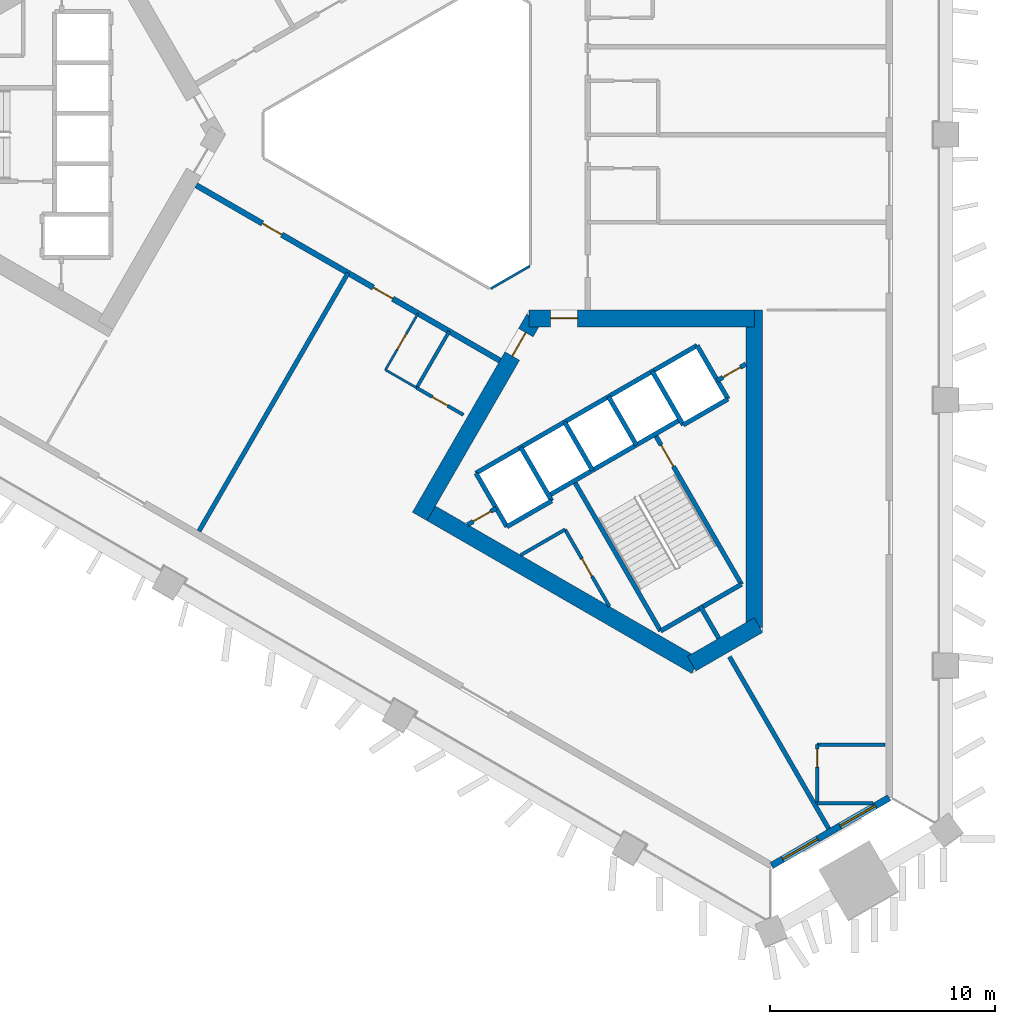
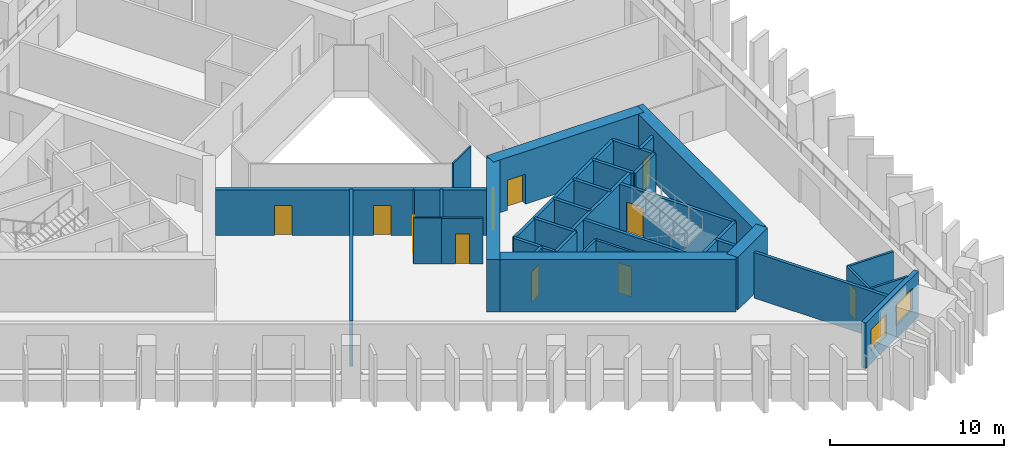
# One storey, part 3 of 11: 35 walls, 11 doors, 2 windows, 13 openings.
"""IFC4 building model written with IfcOpenShell, lengths in metres."""

from ifc_helpers import new_model, si_unit, direction, frame, frame_2d, origin, place, context, subcontext, project, spatial, rectangle, extrude, material, layer, layer_set, type_object, element, fill, save


model = new_model("IFC4")

# Units and contexts
model_context = context("Model", 3, precision=1e-05, world=origin(), true_north=direction((0.0, 1.0)))
body_context = subcontext(model_context, "Body", "Model", "MODEL_VIEW")
ifc_project = project(units=[si_unit("LENGTHUNIT", "METRE"), si_unit("AREAUNIT", "SQUARE_METRE"), si_unit("VOLUMEUNIT", "CUBIC_METRE"), si_unit("PLANEANGLEUNIT", "RADIAN"), si_unit("MASSUNIT", "GRAM", prefix="KILO")], contexts=[model_context])

# Site, building, storey
site_placement = place(None, origin())
site = spatial("IfcSite", under=ifc_project, at=site_placement, CompositionType="ELEMENT")
building_placement = place(site_placement, origin())
building = spatial("IfcBuilding", under=site, at=building_placement, Name="Jabali Bay Hotel Tower and Convention Centre", CompositionType="ELEMENT")
storey_placement = place(building_placement, frame((0.0, 0.0, 79.5)))
storey = spatial("IfcBuildingStorey", under=building, at=storey_placement, Name="L18", CompositionType="ELEMENT", Elevation=79.5)

# Walls
ifc_material_1 = material(Name="Fire-resistant glazing", Category="glass")
ifc_layer_1 = layer(ifc_material_1, 0.10009765625)
ifc_layer_set_1 = layer_set([ifc_layer_1], Name="Fire-resistant glazing")
wall_type_1 = type_object("IfcWallType", Name="Atrium glazed screen 100", PredefinedType="PARTITIONING", material=ifc_layer_set_1)
wall_1_placement = place(storey_placement, frame((77.7978515625, 73.15380859375, 0.0), z_axis=(0.0, 0.0, 1.0), x_axis=(0.866041268327, 0.499972520799, 0.0)))
element("IfcWall", 1, at=wall_1_placement, inside=storey, type_object=wall_type_1, Name="Atrium screen 6 L18", PredefinedType="PARTITIONING", context=body_context, shape_type="SweptSolid", body=[
    extrude(rectangle(XDim=2.0, YDim=0.10009765625, at=frame_2d((1.0, 0.0))), origin(), (0.0, 0.0, 1.0), 3.199951171875),
])
ifc_material_2 = material(Name="Concrete C40", Category="concrete")
ifc_layer_2 = layer(ifc_material_2, 0.199951171875)
ifc_layer_set_2 = layer_set([ifc_layer_2], Name="Concrete C40")
wall_type_2 = type_object("IfcWallType", Name="Core partition wall 200", PredefinedType="PARTITIONING", material=ifc_layer_set_2)
wall_2_placement = place(storey_placement, frame((87.090087890625, 59.0595703125, 0.0), z_axis=(0.0, 0.0, 1.0), x_axis=(0.499937194881, -0.866061661301, 0.0)))
element("IfcWall", 2, at=wall_2_placement, inside=storey, type_object=wall_type_2, Name="Core wall 2.5 L18", PredefinedType="PARTITIONING", context=body_context, shape_type="SweptSolid", body=[
    extrude(rectangle(XDim=1.673095703125, YDim=0.199951171875, at=frame_2d((0.83642578125, 0.0))), origin(), (0.0, 0.0, 1.0), 3.199951171875),
])

# Wall, opening, door
wall_3_placement = place(storey_placement, frame((76.77001953125, 62.662109375, 0.0), z_axis=(0.0, 0.0, 1.0), x_axis=(0.866054810376, 0.49994906283, 0.0)))
wall_3 = element("IfcWall", 3, at=wall_3_placement, inside=storey, type_object=wall_type_2, Name="Core wall 2.11 L18", PredefinedType="PARTITIONING", context=body_context, shape_type="SweptSolid", body=[
    extrude(rectangle(XDim=1.461181640625, YDim=0.199951171875, at=frame_2d((0.73046875, 0.0))), origin(), (0.0, 0.0, 1.0), 3.199951171875),
])
opening_1_placement = place(wall_3_placement, frame((0.280517578125, 0.0, 0.0)))
opening_1 = element("IfcOpeningElement", 4, at=opening_1_placement, cuts=wall_3, Name="Opening D453", PredefinedType="OPENING", context=body_context, shape_type="SweptSolid", body=[
    extrude(rectangle(XDim=0.89990234375, YDim=2.10009765625, at=frame_2d((0.449951171875, 1.050048828125))), frame((0.0, 0.1103515625, 0.0), z_axis=(0.0, -1.0, 0.0), x_axis=(1.0, 0.0, 0.0)), (0.0, 0.0, 1.0), 0.220947265625),
])
ifc_material_3 = material(Name="Fire-rated steel door", Category="steel")
door_type_1 = type_object("IfcDoorType", Name="Vestibule fire door 900 x 2100", OperationType="NOTDEFINED", PredefinedType="NOTDEFINED", material=ifc_material_3)
door_1_placement = place(opening_1_placement, origin())
door_1 = element("IfcDoor", 5, at=door_1_placement, inside=storey, type_object=door_type_1, Name="Vestibule fire door D453", OperationType="SINGLE_SWING_LEFT", OverallHeight=2.10009765625, OverallWidth=0.89990234375, PredefinedType="NOTDEFINED", context=body_context, shape_type="SweptSolid", body=[
    extrude(rectangle(XDim=0.89990234375, YDim=2.10009765625, at=frame_2d((0.449951171875, 1.050048828125))), frame((0.0, 0.02490234375, 0.0), z_axis=(0.0, -1.0, 0.0), x_axis=(1.0, 0.0, 0.0)), (0.0, 0.0, 1.0), 0.050048828125),
])
fill(opening_1, door_1)

wall_4_placement = place(storey_placement, frame((87.86474609375, 69.067626953125, 0.0), z_axis=(0.0, 0.0, 1.0), x_axis=(0.865982457891, 0.500074377092, 0.0)))
wall_4 = element("IfcWall", 6, at=wall_4_placement, inside=storey, type_object=wall_type_2, Name="Core wall 2.12 L18", PredefinedType="PARTITIONING", context=body_context, shape_type="SweptSolid", body=[
    extrude(rectangle(XDim=1.461181640625, YDim=0.199951171875, at=frame_2d((0.73046875, 0.0))), origin(), (0.0, 0.0, 1.0), 3.199951171875),
])
opening_2_placement = place(wall_4_placement, frame((0.280517578125, 0.0, 0.0)))
opening_2 = element("IfcOpeningElement", 7, at=opening_2_placement, cuts=wall_4, Name="Opening D452", PredefinedType="OPENING", context=body_context, shape_type="SweptSolid", body=[
    extrude(rectangle(XDim=0.89990234375, YDim=2.10009765625, at=frame_2d((0.449951171875, 1.050048828125))), frame((0.0, 0.1103515625, 0.0), z_axis=(0.0, -1.0, 0.0), x_axis=(1.0, 0.0, 0.0)), (0.0, 0.0, 1.0), 0.220947265625),
])
door_2_placement = place(opening_2_placement, origin())
door_2 = element("IfcDoor", 8, at=door_2_placement, inside=storey, type_object=door_type_1, Name="Vestibule fire door D452", OperationType="SINGLE_SWING_LEFT", OverallHeight=2.10009765625, OverallWidth=0.89990234375, PredefinedType="NOTDEFINED", context=body_context, shape_type="SweptSolid", body=[
    extrude(rectangle(XDim=0.89990234375, YDim=2.10009765625, at=frame_2d((0.449951171875, 1.050048828125))), frame((0.0, 0.02490234375, 0.0), z_axis=(0.0, -1.0, 0.0), x_axis=(1.0, 0.0, 0.0)), (0.0, 0.0, 1.0), 0.050048828125),
])
fill(opening_2, door_2)

ifc_material_4 = material(Name="Fire-rated board partition")
ifc_layer_3 = layer(ifc_material_4, 0.14990234375)
ifc_layer_set_3 = layer_set([ifc_layer_3], Name="Fire-rated board partition")
wall_type_3 = type_object("IfcWallType", Name="Core room partition 150", PredefinedType="PARTITIONING", material=ifc_layer_set_3)
wall_5_placement = place(storey_placement, frame((81.093994140625, 62.445068359375, 0.0), z_axis=(0.0, 0.0, 1.0), x_axis=(0.499990112884, -0.866031112038, 0.0)))
wall_5 = element("IfcWall", 9, at=wall_5_placement, inside=storey, type_object=wall_type_3, Name="Core wall 2.1 L18", PredefinedType="PARTITIONING", context=body_context, shape_type="SweptSolid", body=[
    extrude(rectangle(XDim=3.94775390625, YDim=0.14990234375, at=frame_2d((1.973876953125, 0.0))), origin(), (0.0, 0.0, 1.0), 3.199951171875),
])
opening_3_placement = place(wall_5_placement, frame((1.496337890625, 0.0, 0.0)))
opening_3 = element("IfcOpeningElement", 10, at=opening_3_placement, cuts=wall_5, Name="Opening D455", PredefinedType="OPENING", context=body_context, shape_type="SweptSolid", body=[
    extrude(rectangle(XDim=0.89990234375, YDim=2.10009765625, at=frame_2d((0.449951171875, 1.050048828125))), frame((0.0, 0.08544921875, 0.0), z_axis=(0.0, -1.0, 0.0), x_axis=(1.0, 0.0, 0.0)), (0.0, 0.0, 1.0), 0.1708984375),
])
door_type_2 = type_object("IfcDoorType", Name="Core room door 900 x 2100", OperationType="NOTDEFINED", PredefinedType="NOTDEFINED", material=ifc_material_3)
door_3_placement = place(opening_3_placement, origin())
door_3 = element("IfcDoor", 11, at=door_3_placement, inside=storey, type_object=door_type_2, Name="Core room door D455", OperationType="SINGLE_SWING_LEFT", OverallHeight=2.10009765625, OverallWidth=0.89990234375, PredefinedType="NOTDEFINED", context=body_context, shape_type="SweptSolid", body=[
    extrude(rectangle(XDim=0.89990234375, YDim=2.10009765625, at=frame_2d((0.449951171875, 1.050048828125))), frame((0.0, 0.02490234375, 0.0), z_axis=(0.0, -1.0, 0.0), x_axis=(1.0, 0.0, 0.0)), (0.0, 0.0, 1.0), 0.050048828125),
])
fill(opening_3, door_3)

# Walls
wall_6_placement = place(storey_placement, frame((79.119873046875, 61.305419921875, 0.0), z_axis=(0.0, 0.0, 1.0), x_axis=(0.866046471269, 0.499963508271, 0.0)))
element("IfcWall", 12, at=wall_6_placement, inside=storey, type_object=wall_type_3, Name="Core wall 2.16 L18", PredefinedType="PARTITIONING", context=body_context, shape_type="SweptSolid", body=[
    extrude(rectangle(XDim=2.279541015625, YDim=0.14990234375, at=frame_2d((1.1396484375, 0.0))), origin(), (0.0, 0.0, 1.0), 3.199951171875),
])
ifc_layer_4 = layer(ifc_material_2, 0.199951171875)
ifc_layer_set_4 = layer_set([ifc_layer_4], Name="Concrete C40")
wall_type_4 = type_object("IfcWallType", Name="Core stair wall 200", PredefinedType="SOLIDWALL", material=ifc_layer_set_4)
for number, where, z_axis, x_axis, name in (
    (13, (77.13525390625, 64.95166015625, 0.0), (0.0, 0.0, 1.0), (0.499996545922, -0.866027397988, 0.0), "Core wall 2.0 L18"),
    (14, (79.127197265625, 66.1015625, 0.0), (0.0, 0.0, 1.0), (0.499996545922, -0.866027397988, 0.0), "Core wall 2.2 L18"),
):
    element("IfcWall", number, at=place(storey_placement, frame(where, z_axis=z_axis, x_axis=x_axis)), inside=storey, type_object=wall_type_4, Name=name, PredefinedType="SOLIDWALL", context=body_context, shape_type="SweptSolid", body=[
        extrude(rectangle(XDim=2.75, YDim=0.199951171875, at=frame_2d((1.375, 0.0))), origin(), (0.0, 0.0, 1.0), 3.199951171875),
    ])
wall_7_placement = place(storey_placement, frame((81.492919921875, 64.603759765625, 0.0), z_axis=(0.0, 0.0, 1.0), x_axis=(0.500006057782, -0.866021906294, 0.0)))
element("IfcWall", 15, at=wall_7_placement, inside=storey, type_object=wall_type_4, Name="Core wall 2.3 L18", PredefinedType="SOLIDWALL", context=body_context, shape_type="SweptSolid", body=[
    extrude(rectangle(XDim=7.7001953125, YDim=0.199951171875, at=frame_2d((3.85009765625, 0.0))), origin(), (0.0, 0.0, 1.0), 3.199951171875),
])
for number, where, z_axis, x_axis, name in (
    (16, (81.07568359375, 67.2265625, 0.0), (0.0, 0.0, 1.0), (0.50000366821, -0.866023285932, 0.0), "Core wall 2.4 L18"),
    (17, (83.024169921875, 68.3515625, 0.0), (0.0, 0.0, 1.0), (0.50000366821, -0.866023285932, 0.0), "Core wall 2.6 L18"),
):
    element("IfcWall", number, at=place(storey_placement, frame(where, z_axis=z_axis, x_axis=x_axis)), inside=storey, type_object=wall_type_4, Name=name, PredefinedType="SOLIDWALL", context=body_context, shape_type="SweptSolid", body=[
        extrude(rectangle(XDim=2.47998046875, YDim=0.199951171875, at=frame_2d((1.239990234375, 0.0))), origin(), (0.0, 0.0, 1.0), 3.199951171875),
    ])

# Wall, opening, door
wall_8_placement = place(storey_placement, frame((85.0869140625, 66.6787109375, 0.0), z_axis=(0.0, 0.0, 1.0), x_axis=(0.500019787375, -0.866013979237, 0.0)))
wall_8 = element("IfcWall", 18, at=wall_8_placement, inside=storey, type_object=wall_type_4, Name="Core wall 2.7 L18", PredefinedType="SOLIDWALL", context=body_context, shape_type="SweptSolid", body=[
    extrude(rectangle(XDim=7.699951171875, YDim=0.199951171875, at=frame_2d((3.85009765625, 0.0))), origin(), (0.0, 0.0, 1.0), 3.199951171875),
])
opening_4_placement = place(wall_8_placement, frame((0.550048828125, 0.0, 0.0)))
opening_4 = element("IfcOpeningElement", 19, at=opening_4_placement, cuts=wall_8, Name="Opening D454", PredefinedType="OPENING", context=body_context, shape_type="SweptSolid", body=[
    extrude(rectangle(XDim=1.10009765625, YDim=2.10009765625, at=frame_2d((0.550048828125, 1.050048828125))), frame((0.0, 0.1103515625, 0.0), z_axis=(0.0, -1.0, 0.0), x_axis=(1.0, 0.0, 0.0)), (0.0, 0.0, 1.0), 0.220947265625),
])
door_type_3 = type_object("IfcDoorType", Name="Stair fire door 1100 x 2100", OperationType="NOTDEFINED", PredefinedType="NOTDEFINED", material=ifc_material_3)
door_4_placement = place(opening_4_placement, origin())
door_4 = element("IfcDoor", 20, at=door_4_placement, inside=storey, type_object=door_type_3, Name="Stair fire door D454", OperationType="SINGLE_SWING_RIGHT", OverallHeight=2.10009765625, OverallWidth=1.10009765625, PredefinedType="NOTDEFINED", context=body_context, shape_type="SweptSolid", body=[
    extrude(rectangle(XDim=1.10009765625, YDim=2.10009765625, at=frame_2d((0.550048828125, 1.050048828125))), frame((0.0, 0.02490234375, 0.0), z_axis=(0.0, -1.0, 0.0), x_axis=(1.0, 0.0, 0.0)), (0.0, 0.0, 1.0), 0.050048828125),
])
fill(opening_4, door_4)

# Walls
for number, where, z_axis, x_axis, name in (
    (21, (84.972900390625, 69.4765625, 0.0), (0.0, 0.0, 1.0), (0.499996545922, -0.866027397988, 0.0), "Core wall 2.8 L18"),
    (22, (86.964599609375, 70.62646484375, 0.0), (0.0, 0.0, 1.0), (0.499996545922, -0.866027397988, 0.0), "Core wall 2.9 L18"),
):
    element("IfcWall", number, at=place(storey_placement, frame(where, z_axis=z_axis, x_axis=x_axis)), inside=storey, type_object=wall_type_4, Name=name, PredefinedType="SOLIDWALL", context=body_context, shape_type="SweptSolid", body=[
        extrude(rectangle(XDim=2.75, YDim=0.199951171875, at=frame_2d((1.375, 0.0))), origin(), (0.0, 0.0, 1.0), 3.199951171875),
    ])
wall_9_placement = place(storey_placement, frame((77.13525390625, 64.95166015625, 0.0), z_axis=(0.0, 0.0, 1.0), x_axis=(0.866031916153, 0.499988720078, 0.0)))
element("IfcWall", 23, at=wall_9_placement, inside=storey, type_object=wall_type_4, Name="Core wall 2.10 L18", PredefinedType="SOLIDWALL", context=body_context, shape_type="SweptSolid", body=[
    extrude(rectangle(XDim=11.349853515625, YDim=0.199951171875, at=frame_2d((5.6748046875, 0.0))), origin(), (0.0, 0.0, 1.0), 3.199951171875),
])
wall_10_placement = place(storey_placement, frame((80.3671875, 63.953857421875, 0.0), z_axis=(0.0, 0.0, 1.0), x_axis=(0.866026575979, 0.499997969693, 0.0)))
element("IfcWall", 24, at=wall_10_placement, inside=storey, type_object=wall_type_4, Name="Core wall 2.13 L18", PredefinedType="SOLIDWALL", context=body_context, shape_type="SweptSolid", body=[
    extrude(rectangle(XDim=6.75, YDim=0.199951171875, at=frame_2d((3.375, 0.0))), origin(), (0.0, 0.0, 1.0), 3.199951171875),
])
wall_11_placement = place(storey_placement, frame((78.51025390625, 62.570068359375, 0.0), z_axis=(0.0, 0.0, 1.0), x_axis=(0.866053019151, 0.499952165731, 0.0)))
element("IfcWall", 25, at=wall_11_placement, inside=storey, type_object=wall_type_4, Name="Core wall 2.14 L18", PredefinedType="SOLIDWALL", context=body_context, shape_type="SweptSolid", body=[
    extrude(rectangle(XDim=2.300048828125, YDim=0.199951171875, at=frame_2d((1.14990234375, 0.0))), origin(), (0.0, 0.0, 1.0), 3.199951171875),
])
wall_12_placement = place(storey_placement, frame((86.347900390625, 67.094970703125, 0.0), z_axis=(0.0, 0.0, 1.0), x_axis=(0.86602648383, 0.499998129301, 0.0)))
element("IfcWall", 26, at=wall_12_placement, inside=storey, type_object=wall_type_4, Name="Core wall 2.15 L18", PredefinedType="SOLIDWALL", context=body_context, shape_type="SweptSolid", body=[
    extrude(rectangle(XDim=2.2998046875, YDim=0.199951171875, at=frame_2d((1.14990234375, 0.0))), origin(), (0.0, 0.0, 1.0), 3.199951171875),
])
wall_13_placement = place(storey_placement, frame((85.343017578125, 57.935302734375, 0.0), z_axis=(0.0, 0.0, 1.0), x_axis=(0.866004344652, 0.500036473714, 0.0)))
element("IfcWall", 27, at=wall_13_placement, inside=storey, type_object=wall_type_4, Name="Core wall 2.17 L18", PredefinedType="SOLIDWALL", context=body_context, shape_type="SweptSolid", body=[
    extrude(rectangle(XDim=4.150146484375, YDim=0.199951171875, at=frame_2d((2.0751953125, 0.0))), origin(), (0.0, 0.0, 1.0), 3.199951171875),
])

# Wall, opening, door
ifc_material_5 = material(Name="Concrete C60", Category="concrete")
ifc_layer_5 = layer(ifc_material_5, 0.75)
ifc_layer_set_5 = layer_set([ifc_layer_5], Name="Concrete C60")
wall_type_5 = type_object("IfcWallType", Name="Core wall 750", PredefinedType="SHEAR", material=ifc_layer_set_5)
wall_14_placement = place(storey_placement, frame((79.716552734375, 71.830810546875, 0.0), z_axis=(0.0, 0.0, 1.0), x_axis=(-0.499996230114, -0.866027580318, 0.0)))
wall_14 = element("IfcWall", 28, at=wall_14_placement, inside=storey, type_object=wall_type_5, Name="Core wall 3.1 L18", PredefinedType="SHEAR", context=body_context, shape_type="SweptSolid", body=[
    extrude(rectangle(XDim=10.16357421875, YDim=0.75, at=frame_2d((5.081787109375, 0.0))), origin(), (0.0, 0.0, 1.0), 3.699951171875),
])
opening_5_placement = place(wall_14_placement, frame((0.7333984375, 0.0, 0.0)))
opening_5 = element("IfcOpeningElement", 29, at=opening_5_placement, cuts=wall_14, Name="Opening D450", PredefinedType="OPENING", context=body_context, shape_type="SweptSolid", body=[
    extrude(rectangle(XDim=1.199951171875, YDim=2.10009765625, at=frame_2d((0.60009765625, 1.050048828125))), frame((0.0, 0.385498046875, 0.0), z_axis=(0.0, -1.0, 0.0), x_axis=(1.0, 0.0, 0.0)), (0.0, 0.0, 1.0), 0.77099609375),
])
door_type_4 = type_object("IfcDoorType", Name="Corridor end fire door 1200 x 2100", OperationType="NOTDEFINED", PredefinedType="NOTDEFINED", material=ifc_material_3)
door_5_placement = place(opening_5_placement, origin())
door_5 = element("IfcDoor", 30, at=door_5_placement, inside=storey, type_object=door_type_4, Name="Corridor end fire door D450", OperationType="SINGLE_SWING_RIGHT", OverallHeight=2.10009765625, OverallWidth=1.199951171875, PredefinedType="NOTDEFINED", context=body_context, shape_type="SweptSolid", body=[
    extrude(rectangle(XDim=1.199951171875, YDim=2.10009765625, at=frame_2d((0.60009765625, 1.050048828125))), frame((0.0, 0.02490234375, 0.0), z_axis=(0.0, -1.0, 0.0), x_axis=(1.0, 0.0, 0.0)), (0.0, 0.0, 1.0), 0.050048828125),
])
fill(opening_5, door_5)

# Walls
wall_15_placement = place(storey_placement, frame((74.822265625, 63.353759765625, 0.0), z_axis=(0.0, 0.0, 1.0), x_axis=(0.8660248072, -0.500001033313, 0.0)))
element("IfcWall", 31, at=wall_15_placement, inside=storey, type_object=wall_type_5, Name="Core wall 3.2 L18", PredefinedType="SHEAR", context=body_context, shape_type="SweptSolid", body=[
    extrude(rectangle(XDim=13.95849609375, YDim=0.75, at=frame_2d((6.979248046875, 0.0))), origin(), (0.0, 0.0, 1.0), 3.699951171875),
])
wall_16_placement = place(storey_placement, frame((86.72314453125, 56.482666015625, 0.0), z_axis=(0.0, 0.0, 1.0), x_axis=(0.866017201164, 0.500014207086, 0.0)))
element("IfcWall", 32, at=wall_16_placement, inside=storey, type_object=wall_type_5, Name="Core wall 3.3 L18", PredefinedType="SHEAR", context=body_context, shape_type="SweptSolid", body=[
    extrude(rectangle(XDim=3.4287109375, YDim=0.75, at=frame_2d((1.71435546875, 0.0))), origin(), (0.0, 0.0, 1.0), 3.699951171875),
])
wall_17_placement = place(storey_placement, frame((89.5048828125, 58.0888671875, 0.0), z_axis=(0.0, 0.0, 1.0), x_axis=(0.0, 1.0, 0.0)))
element("IfcWall", 33, at=wall_17_placement, inside=storey, type_object=wall_type_5, Name="Core wall 3.4 L18", PredefinedType="SHEAR", context=body_context, shape_type="SweptSolid", body=[
    extrude(rectangle(XDim=14.116943359375, YDim=0.75, at=frame_2d((7.05859375, 0.0))), origin(), (0.0, 0.0, 1.0), 3.699951171875),
])

# Wall, opening, door
wall_18_placement = place(storey_placement, frame((89.5048828125, 71.830810546875, 0.0), z_axis=(0.0, 0.0, 1.0), x_axis=(-1.0, 0.0, 0.0)))
wall_18 = element("IfcWall", 34, at=wall_18_placement, inside=storey, type_object=wall_type_5, Name="Core wall 3.5 L18", PredefinedType="SHEAR", context=body_context, shape_type="SweptSolid", body=[
    extrude(rectangle(XDim=10.0048828125, YDim=0.75, at=frame_2d((5.00244140625, 0.0))), origin(), (0.0, 0.0, 1.0), 3.699951171875),
])
opening_6_placement = place(wall_18_placement, frame((7.85498046875, 0.0, 0.0)))
opening_6 = element("IfcOpeningElement", 35, at=opening_6_placement, cuts=wall_18, Name="Opening D451", PredefinedType="OPENING", context=body_context, shape_type="SweptSolid", body=[
    extrude(rectangle(XDim=1.199951171875, YDim=2.10009765625, at=frame_2d((0.60009765625, 1.050048828125))), frame((0.0, 0.385498046875, 0.0), z_axis=(0.0, -1.0, 0.0), x_axis=(1.0, 0.0, 0.0)), (0.0, 0.0, 1.0), 0.77099609375),
])
door_6_placement = place(opening_6_placement, origin())
door_6 = element("IfcDoor", 36, at=door_6_placement, inside=storey, type_object=door_type_4, Name="Corridor end fire door D451", OperationType="SINGLE_SWING_LEFT", OverallHeight=2.10009765625, OverallWidth=1.199951171875, PredefinedType="NOTDEFINED", context=body_context, shape_type="SweptSolid", body=[
    extrude(rectangle(XDim=1.199951171875, YDim=2.10009765625, at=frame_2d((0.60009765625, 1.050048828125))), frame((0.0, 0.02490234375, 0.0), z_axis=(0.0, -1.0, 0.0), x_axis=(1.0, 0.0, 0.0)), (0.0, 0.0, 1.0), 0.050048828125),
])
fill(opening_6, door_6)

# Wall, openings, doors
ifc_layer_6 = layer(ifc_material_5, 0.25)
ifc_layer_set_6 = layer_set([ifc_layer_6], Name="Concrete C60")
wall_type_6 = type_object("IfcWallType", Name="Corridor wall 250", PredefinedType="SHEAR", material=ifc_layer_set_6)
wall_19_placement = place(storey_placement, frame((64.699951171875, 77.748291015625, 0.0), z_axis=(0.0, 0.0, 1.0), x_axis=(0.866026492143, -0.499998114903, 0.0)))
wall_19 = element("IfcWall", 37, at=wall_19_placement, inside=storey, type_object=wall_type_6, Name="Corridor wall 3 L18", PredefinedType="SHEAR", context=body_context, shape_type="SweptSolid", body=[
    extrude(rectangle(XDim=15.58837890625, YDim=0.25, at=frame_2d((7.794189453125, 0.0))), origin(), (0.0, 0.0, 1.0), 3.199951171875),
])
opening_7_placement = place(wall_19_placement, frame((3.397216796875, 0.0, 0.0)))
opening_7 = element("IfcOpeningElement", 38, at=opening_7_placement, cuts=wall_19, Name="Opening 1818", PredefinedType="OPENING", context=body_context, shape_type="SweptSolid", body=[
    extrude(rectangle(XDim=1.0, YDim=2.10009765625, at=frame_2d((0.5, 1.050048828125))), frame((0.0, 0.135498046875, 0.0), z_axis=(0.0, -1.0, 0.0), x_axis=(1.0, 0.0, 0.0)), (0.0, 0.0, 1.0), 0.27099609375),
])
opening_8_placement = place(wall_19_placement, frame((9.09130859375, 0.0, 0.0)))
opening_8 = element("IfcOpeningElement", 39, at=opening_8_placement, cuts=wall_19, Name="Opening 1823", PredefinedType="OPENING", context=body_context, shape_type="SweptSolid", body=[
    extrude(rectangle(XDim=1.0, YDim=2.10009765625, at=frame_2d((0.5, 1.050048828125))), frame((0.0, 0.135498046875, 0.0), z_axis=(0.0, -1.0, 0.0), x_axis=(1.0, 0.0, 0.0)), (0.0, 0.0, 1.0), 0.27099609375),
])
ifc_material_6 = material(Name="Timber", Category="wood")
door_type_5 = type_object("IfcDoorType", Name="Guest room door 1000 x 2100", OperationType="NOTDEFINED", PredefinedType="NOTDEFINED", material=ifc_material_6)
door_7_placement = place(opening_7_placement, origin())
door_7 = element("IfcDoor", 40, at=door_7_placement, inside=storey, type_object=door_type_5, Name="Door 1818", OperationType="SINGLE_SWING_LEFT", OverallHeight=2.10009765625, OverallWidth=1.0, PredefinedType="NOTDEFINED", context=body_context, shape_type="SweptSolid", body=[
    extrude(rectangle(XDim=1.0, YDim=2.10009765625, at=frame_2d((0.5, 1.050048828125))), frame((0.0, 0.02490234375, 0.0), z_axis=(0.0, -1.0, 0.0), x_axis=(1.0, 0.0, 0.0)), (0.0, 0.0, 1.0), 0.050048828125),
])
fill(opening_7, door_7)
door_8_placement = place(opening_8_placement, origin())
door_8 = element("IfcDoor", 41, at=door_8_placement, inside=storey, type_object=door_type_5, Name="Door 1823", OperationType="SINGLE_SWING_RIGHT", OverallHeight=2.10009765625, OverallWidth=1.0, PredefinedType="NOTDEFINED", context=body_context, shape_type="SweptSolid", body=[
    extrude(rectangle(XDim=1.0, YDim=2.10009765625, at=frame_2d((0.5, 1.050048828125))), frame((0.0, 0.02490234375, 0.0), z_axis=(0.0, -1.0, 0.0), x_axis=(1.0, 0.0, 0.0)), (0.0, 0.0, 1.0), 0.050048828125),
])
fill(opening_8, door_8)

# Wall, openings, windows
ifc_layer_7 = layer(ifc_material_2, 0.300048828125)
ifc_layer_set_7 = layer_set([ifc_layer_7], Name="Concrete C40")
wall_type_7 = type_object("IfcWallType", Name="External wall 300", PredefinedType="SOLIDWALL", material=ifc_layer_set_7)
wall_20_placement = place(storey_placement, frame((95.500732421875, 50.524169921875, 0.0), z_axis=(0.0, 0.0, 1.0), x_axis=(-0.866037993248, -0.499978193775, 0.0)))
wall_20 = element("IfcWall", 42, at=wall_20_placement, inside=storey, type_object=wall_type_7, Name="External wall south-east chamfer L18", PredefinedType="SOLIDWALL", context=body_context, shape_type="SweptSolid", body=[
    extrude(rectangle(XDim=6.032470703125, YDim=0.300048828125, at=frame_2d((3.01611328125, 0.0))), origin(), (0.0, 0.0, 1.0), 3.199951171875),
])
opening_9_placement = place(wall_20_placement, frame((0.715576171875, 0.0, 0.89990234375)))
opening_9 = element("IfcOpeningElement", 43, at=opening_9_placement, cuts=wall_20, Name="Opening W1", PredefinedType="OPENING", context=body_context, shape_type="SweptSolid", body=[
    extrude(rectangle(XDim=1.800048828125, YDim=1.5, at=frame_2d((0.89990234375, 0.75))), frame((0.0, 0.16064453125, 0.0), z_axis=(0.0, -1.0, 0.0), x_axis=(1.0, 0.0, 0.0)), (0.0, 0.0, 1.0), 0.321044921875),
])
opening_10_placement = place(wall_20_placement, frame((3.6669921875, 0.0, 0.89990234375)))
opening_10 = element("IfcOpeningElement", 44, at=opening_10_placement, cuts=wall_20, Name="Opening W1", PredefinedType="OPENING", context=body_context, shape_type="SweptSolid", body=[
    extrude(rectangle(XDim=1.800048828125, YDim=1.5, at=frame_2d((0.89990234375, 0.75))), frame((0.0, 0.16064453125, 0.0), z_axis=(0.0, -1.0, 0.0), x_axis=(1.0, 0.0, 0.0)), (0.0, 0.0, 1.0), 0.321044921875),
])
ifc_material_7 = material(Name="Glass", Category="glass")
window_type = type_object("IfcWindowType", Name="Window 1800 x 1500", PartitioningType="SINGLE_PANEL", PredefinedType="WINDOW", material=ifc_material_7)
window_1_placement = place(opening_9_placement, origin())
window_1 = element("IfcWindow", 45, at=window_1_placement, inside=storey, type_object=window_type, Name="Window 1801", OverallHeight=1.5, OverallWidth=1.800048828125, PartitioningType="SINGLE_PANEL", PredefinedType="WINDOW", context=body_context, shape_type="SweptSolid", body=[
    extrude(rectangle(XDim=1.800048828125, YDim=1.5, at=frame_2d((0.89990234375, 0.75))), frame((0.0, 0.030029296875, 0.0), z_axis=(0.0, -1.0, 0.0), x_axis=(1.0, 0.0, 0.0)), (0.0, 0.0, 1.0), 0.06005859375),
])
fill(opening_9, window_1)
window_2_placement = place(opening_10_placement, origin())
window_2 = element("IfcWindow", 46, at=window_2_placement, inside=storey, type_object=window_type, Name="Window 1809", OverallHeight=1.5, OverallWidth=1.800048828125, PartitioningType="SINGLE_PANEL", PredefinedType="WINDOW", context=body_context, shape_type="SweptSolid", body=[
    extrude(rectangle(XDim=1.800048828125, YDim=1.5, at=frame_2d((0.89990234375, 0.75))), frame((0.0, 0.030029296875, 0.0), z_axis=(0.0, -1.0, 0.0), x_axis=(1.0, 0.0, 0.0)), (0.0, 0.0, 1.0), 0.06005859375),
])
fill(opening_10, window_2)

# Wall
ifc_material_8 = material(Name="Plasterboard on steel stud", Category="steel")
ifc_layer_8 = layer(ifc_material_8, 0.10009765625)
ifc_layer_set_8 = layer_set([ifc_layer_8], Name="Plasterboard on steel stud")
wall_type_8 = type_object("IfcWallType", Name="Partition 100 unit", PredefinedType="PARTITIONING", material=ifc_layer_set_8)
wall_21_placement = place(storey_placement, frame((74.498291015625, 68.74267578125, 0.0), z_axis=(0.0, 0.0, 1.0), x_axis=(-0.865989903783, 0.500061482766, 0.0)))
element("IfcWall", 47, at=wall_21_placement, inside=storey, type_object=wall_type_8, Name="Partition P02 L18 037", PredefinedType="PARTITIONING", context=body_context, shape_type="SweptSolid", body=[
    extrude(rectangle(XDim=1.599853515625, YDim=0.10009765625, at=frame_2d((0.7998046875, 0.0))), origin(), (0.0, 0.0, 1.0), 3.199951171875),
])

# Wall, opening, door
wall_22_placement = place(storey_placement, frame((73.11279296875, 69.542724609375, 0.0), z_axis=(0.0, 0.0, 1.0), x_axis=(0.499987231761, 0.866032775405, 0.0)))
wall_22 = element("IfcWall", 48, at=wall_22_placement, inside=storey, type_object=wall_type_8, Name="Partition P02 L18 038", PredefinedType="PARTITIONING", context=body_context, shape_type="SweptSolid", body=[
    extrude(rectangle(XDim=2.89990234375, YDim=0.10009765625, at=frame_2d((1.449951171875, 0.0))), origin(), (0.0, 0.0, 1.0), 3.199951171875),
])
opening_11_placement = place(wall_22_placement, frame((1.050048828125, 0.0, 0.0)))
opening_11 = element("IfcOpeningElement", 49, at=opening_11_placement, cuts=wall_22, Name="Opening 1822", PredefinedType="OPENING", context=body_context, shape_type="SweptSolid", body=[
    extrude(rectangle(XDim=0.800048828125, YDim=2.10009765625, at=frame_2d((0.39990234375, 1.050048828125))), frame((0.0, 0.060546875, 0.0), z_axis=(0.0, -1.0, 0.0), x_axis=(1.0, 0.0, 0.0)), (0.0, 0.0, 1.0), 0.12109375),
])
door_type_6 = type_object("IfcDoorType", Name="Dressing room door 800 x 2100", OperationType="NOTDEFINED", PredefinedType="NOTDEFINED", material=ifc_material_6)
door_9_placement = place(opening_11_placement, origin())
door_9 = element("IfcDoor", 50, at=door_9_placement, inside=storey, type_object=door_type_6, Name="Door 1822", OperationType="SINGLE_SWING_RIGHT", OverallHeight=2.10009765625, OverallWidth=0.800048828125, PredefinedType="NOTDEFINED", context=body_context, shape_type="SweptSolid", body=[
    extrude(rectangle(XDim=0.800048828125, YDim=2.10009765625, at=frame_2d((0.39990234375, 1.050048828125))), frame((0.0, 0.02490234375, 0.0), z_axis=(0.0, -1.0, 0.0), x_axis=(1.0, 0.0, 0.0)), (0.0, 0.0, 1.0), 0.050048828125),
])
fill(opening_11, door_9)

# Wall
ifc_layer_9 = layer(ifc_material_8, 0.14990234375)
ifc_layer_set_9 = layer_set([ifc_layer_9], Name="Plasterboard on steel stud")
wall_type_9 = type_object("IfcWallType", Name="Partition 150 wet", PredefinedType="PARTITIONING", material=ifc_layer_set_9)
wall_23_placement = place(storey_placement, frame((94.79052734375, 50.2861328125, 0.0), z_axis=(0.0, 0.0, 1.0), x_axis=(-1.0, 0.0, 0.0)))
element("IfcWall", 51, at=wall_23_placement, inside=storey, type_object=wall_type_9, Name="Partition P03 L18 004", PredefinedType="PARTITIONING", context=body_context, shape_type="SweptSolid", body=[
    extrude(rectangle(XDim=2.489013671875, YDim=0.14990234375, at=frame_2d((1.24462890625, 0.0))), origin(), (0.0, 0.0, 1.0), 3.199951171875),
])

# Wall, opening, door
wall_24_placement = place(storey_placement, frame((92.301513671875, 50.2861328125, 0.0), z_axis=(0.0, 0.0, 1.0), x_axis=(0.0, 1.0, 0.0)))
wall_24 = element("IfcWall", 52, at=wall_24_placement, inside=storey, type_object=wall_type_9, Name="Partition P03 L18 005", PredefinedType="PARTITIONING", context=body_context, shape_type="SweptSolid", body=[
    extrude(rectangle(XDim=2.60009765625, YDim=0.14990234375, at=frame_2d((1.300048828125, 0.0))), origin(), (0.0, 0.0, 1.0), 3.199951171875),
])
opening_12_placement = place(wall_24_placement, frame((1.60009765625, 0.0, 0.0)))
opening_12 = element("IfcOpeningElement", 53, at=opening_12_placement, cuts=wall_24, Name="Opening 1803", PredefinedType="OPENING", context=body_context, shape_type="SweptSolid", body=[
    extrude(rectangle(XDim=0.800048828125, YDim=2.10009765625, at=frame_2d((0.39990234375, 1.050048828125))), frame((0.0, 0.08544921875, 0.0), z_axis=(0.0, -1.0, 0.0), x_axis=(1.0, 0.0, 0.0)), (0.0, 0.0, 1.0), 0.1708984375),
])
door_type_7 = type_object("IfcDoorType", Name="En-suite door 800 x 2100", OperationType="NOTDEFINED", PredefinedType="NOTDEFINED", material=ifc_material_6)
door_10_placement = place(opening_12_placement, origin())
door_10 = element("IfcDoor", 54, at=door_10_placement, inside=storey, type_object=door_type_7, Name="Door 1803", OperationType="SINGLE_SWING_RIGHT", OverallHeight=2.10009765625, OverallWidth=0.800048828125, PredefinedType="NOTDEFINED", context=body_context, shape_type="SweptSolid", body=[
    extrude(rectangle(XDim=0.800048828125, YDim=2.10009765625, at=frame_2d((0.39990234375, 1.050048828125))), frame((0.0, 0.02490234375, 0.0), z_axis=(0.0, -1.0, 0.0), x_axis=(1.0, 0.0, 0.0)), (0.0, 0.0, 1.0), 0.050048828125),
])
fill(opening_12, door_10)

# Wall
wall_25_placement = place(storey_placement, frame((92.301513671875, 52.88623046875, 0.0), z_axis=(0.0, 0.0, 1.0), x_axis=(1.0, 0.0, 0.0)))
element("IfcWall", 55, at=wall_25_placement, inside=storey, type_object=wall_type_9, Name="Partition P03 L18 006", PredefinedType="PARTITIONING", context=body_context, shape_type="SweptSolid", body=[
    extrude(rectangle(XDim=3.009033203125, YDim=0.14990234375, at=frame_2d((1.50439453125, 0.0))), origin(), (0.0, 0.0, 1.0), 3.199951171875),
])

# Wall, opening, door
wall_26_placement = place(storey_placement, frame((76.57763671875, 67.542236328125, 0.0), z_axis=(0.0, 0.0, 1.0), x_axis=(-0.866038271014, 0.499977712642, 0.0)))
wall_26 = element("IfcWall", 56, at=wall_26_placement, inside=storey, type_object=wall_type_9, Name="Partition P03 L18 036", PredefinedType="PARTITIONING", context=body_context, shape_type="SweptSolid", body=[
    extrude(rectangle(XDim=2.40087890625, YDim=0.14990234375, at=frame_2d((1.200439453125, 0.0))), origin(), (0.0, 0.0, 1.0), 3.199951171875),
])
opening_13_placement = place(wall_26_placement, frame((0.801025390625, 0.0, 0.0)))
opening_13 = element("IfcOpeningElement", 57, at=opening_13_placement, cuts=wall_26, Name="Opening 1821", PredefinedType="OPENING", context=body_context, shape_type="SweptSolid", body=[
    extrude(rectangle(XDim=0.800048828125, YDim=2.10009765625, at=frame_2d((0.39990234375, 1.050048828125))), frame((0.0, 0.08544921875, 0.0), z_axis=(0.0, -1.0, 0.0), x_axis=(1.0, 0.0, 0.0)), (0.0, 0.0, 1.0), 0.1708984375),
])
door_11_placement = place(opening_13_placement, origin())
door_11 = element("IfcDoor", 58, at=door_11_placement, inside=storey, type_object=door_type_7, Name="Door 1821", OperationType="SINGLE_SWING_LEFT", OverallHeight=2.10009765625, OverallWidth=0.800048828125, PredefinedType="NOTDEFINED", context=body_context, shape_type="SweptSolid", body=[
    extrude(rectangle(XDim=0.800048828125, YDim=2.10009765625, at=frame_2d((0.39990234375, 1.050048828125))), frame((0.0, 0.02490234375, 0.0), z_axis=(0.0, -1.0, 0.0), x_axis=(1.0, 0.0, 0.0)), (0.0, 0.0, 1.0), 0.050048828125),
])
fill(opening_13, door_11)

# Walls
wall_27_placement = place(storey_placement, frame((75.9482421875, 71.254150390625, 0.0), z_axis=(0.0, 0.0, 1.0), x_axis=(-0.499987231761, -0.866032775405, 0.0)))
element("IfcWall", 59, at=wall_27_placement, inside=storey, type_object=wall_type_9, Name="Partition P03 L18 039", PredefinedType="PARTITIONING", context=body_context, shape_type="SweptSolid", body=[
    extrude(rectangle(XDim=2.89990234375, YDim=0.14990234375, at=frame_2d((1.449951171875, 0.0))), origin(), (0.0, 0.0, 1.0), 3.199951171875),
])
ifc_layer_10 = layer(ifc_material_8, 0.199951171875)
ifc_layer_set_10 = layer_set([ifc_layer_10], Name="Plasterboard on steel stud")
wall_type_10 = type_object("IfcWallType", Name="Partition 200 party", PredefinedType="PARTITIONING", material=ifc_layer_set_10)
wall_28_placement = place(storey_placement, frame((88.40185546875, 56.789306640625, 0.0), z_axis=(0.0, 0.0, 1.0), x_axis=(0.500006592492, -0.866021597574, 0.0)))
element("IfcWall", 60, at=wall_28_placement, inside=storey, type_object=wall_type_10, Name="Partition P01 L18 007", PredefinedType="PARTITIONING", context=body_context, shape_type="SweptSolid", body=[
    extrude(rectangle(XDim=8.826171875, YDim=0.199951171875, at=frame_2d((4.4130859375, 0.0))), origin(), (0.0, 0.0, 1.0), 3.199951171875),
])
wall_29_placement = place(storey_placement, frame((64.82421875, 62.375, 0.0), z_axis=(0.0, 0.0, 1.0), x_axis=(0.499993034499, 0.866029425281, 0.0)))
element("IfcWall", 61, at=wall_29_placement, inside=storey, type_object=wall_type_10, Name="Partition P01 L18 032", PredefinedType="PARTITIONING", context=body_context, shape_type="SweptSolid", body=[
    extrude(rectangle(XDim=13.251708984375, YDim=0.199951171875, at=frame_2d((6.6259765625, 0.0))), origin(), (0.0, 0.0, 1.0), 3.199951171875),
])

save(model, "model.ifc")
